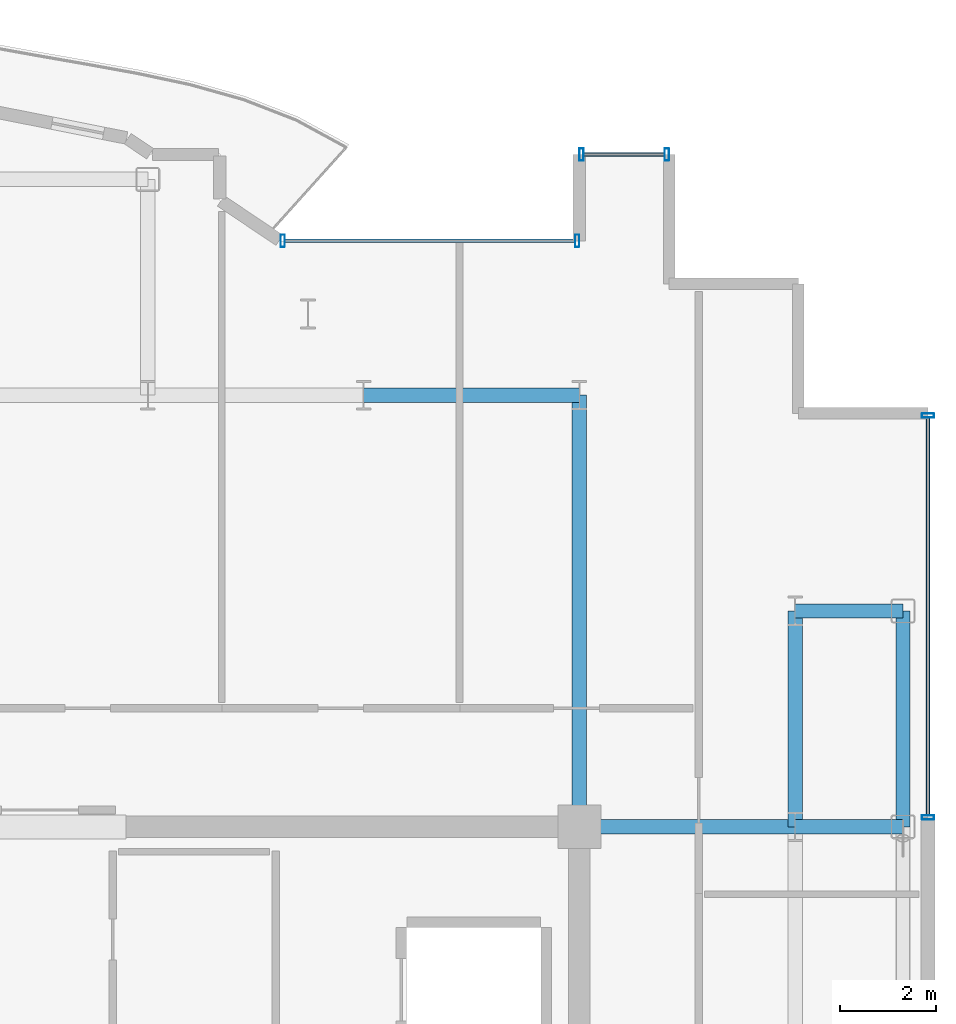
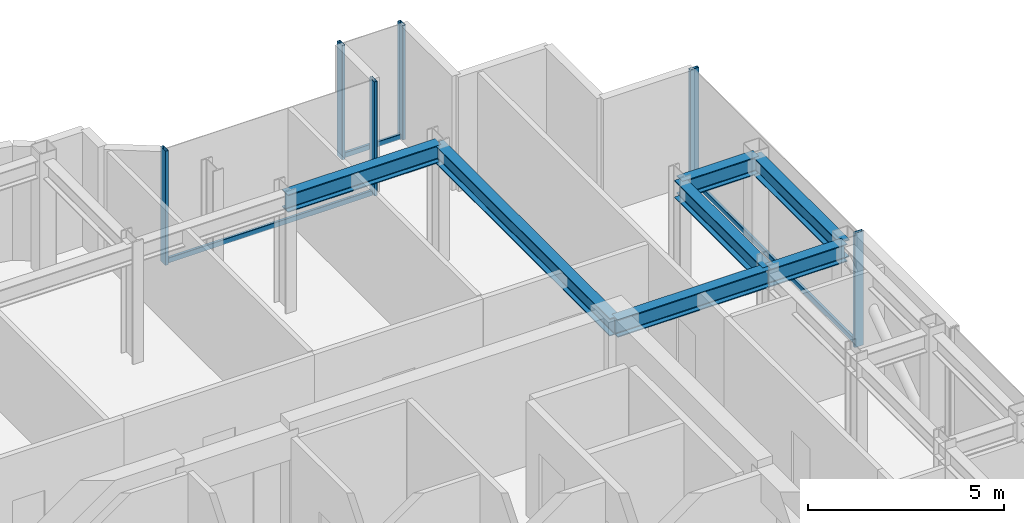
# One storey, part 9 of 16: 9 members, 7 beams, 3 elements without a shape of their own.
"""IFC4 building model written with IfcOpenShell, lengths in metres."""

import ifcopenshell
import ifcopenshell.guid

model = None  # the IFC model being written
_history = None  # IfcOwnerHistory: only IFC2X3 demands one
_inside = {}  # id of a spatial element -> (the spatial element, [elements in it])
_under = {}  # id of a project, library or spatial element -> (it, [spatial elements below it])
_declared = {}  # id of a project -> (the project, [libraries it declares])
_typed = {}  # id of a type object -> (the type object, [elements of that type])
_made_of = {}  # id of a material, layer set ... -> (it, [elements and type objects made of it])


def new_model(schema):
    """Start an empty IFC model of exactly this schema.

    Asked for "IFC4X3", IfcOpenShell would pick the latest addendum, in which some entities
    have other attributes; the version numbers below select the first issue.
    IFC2X3 requires an IfcOwnerHistory on every rooted entity: one is made here for all.
    """
    global model, _history
    if schema == "IFC4X3":
        model = ifcopenshell.file(schema_version=(4, 3, 0, 0))
    else:
        model = ifcopenshell.file(schema=schema)
    _inside.clear()
    _under.clear()
    _declared.clear()
    _typed.clear()
    _made_of.clear()
    _history = None
    if model.schema == "IFC2X3":
        org = make("IfcOrganization", Name="unknown")
        user = make(
            "IfcPersonAndOrganization",
            ThePerson=make("IfcPerson", FamilyName="unknown"),
            TheOrganization=org,
        )
        app = make(
            "IfcApplication",
            ApplicationDeveloper=org,
            Version="unknown",
            ApplicationFullName="unknown",
            ApplicationIdentifier="unknown",
        )
        _history = make(
            "IfcOwnerHistory",
            OwningUser=user,
            OwningApplication=app,
            ChangeAction="ADDED",
            CreationDate=0,
        )
    return model


def make(cls, **values):
    """One entity of the class cls with the attributes given. An attribute that is None is left unset."""
    return model.create_entity(
        cls, **{name: value for name, value in values.items() if value is not None}
    )


def rooted(cls, **values):
    """An entity with a GlobalId (a new one), such as an element, a storey or a relation."""
    return make(cls, GlobalId=ifcopenshell.guid.new(), OwnerHistory=_history, **values)


def si_unit(unit_type, name, prefix=None):
    """IfcSIUnit, for example si_unit("LENGTHUNIT", "METRE", prefix="MILLI")."""
    return make("IfcSIUnit", UnitType=unit_type, Prefix=prefix, Name=name)


def assignment(units):
    """IfcUnitAssignment: the units of a project."""
    return None if units is None else make("IfcUnitAssignment", Units=units)


def point(xyz):
    """IfcCartesianPoint."""
    return None if xyz is None else make("IfcCartesianPoint", Coordinates=xyz)


def direction(xyz):
    """IfcDirection."""
    return None if xyz is None else make("IfcDirection", DirectionRatios=xyz)


def frame(location, z_axis=None, x_axis=None):
    """IfcAxis2Placement3D, a coordinate frame: its origin and axes. An axis left out is left unset."""
    return make(
        "IfcAxis2Placement3D",
        Location=point(location),
        Axis=direction(z_axis),
        RefDirection=direction(x_axis),
    )


def frame_2d(location, x_axis=None):
    """IfcAxis2Placement2D, a coordinate frame in the plane: its origin and x axis."""
    return make(
        "IfcAxis2Placement2D", Location=point(location), RefDirection=direction(x_axis)
    )


def origin():
    """The frame at (0, 0, 0) with its axes left unset."""
    return frame((0.0, 0.0, 0.0))


def origin_2d():
    """The frame at (0, 0) in the plane with its x axis left unset."""
    return frame_2d((0.0, 0.0))


def place(relative_to, where):
    """IfcLocalPlacement: puts the frame where relative to a parent placement (None: the world)."""
    return make(
        "IfcLocalPlacement", PlacementRelTo=relative_to, RelativePlacement=where
    )


def context(
    kind, dimensions, precision=None, world=None, true_north=None, identifier=None
):
    """IfcGeometricRepresentationContext, for example the 3D "Model" context."""
    return make(
        "IfcGeometricRepresentationContext",
        ContextIdentifier=identifier,
        ContextType=kind,
        CoordinateSpaceDimension=dimensions,
        Precision=precision,
        WorldCoordinateSystem=world,
        TrueNorth=true_north,
    )


def subcontext(parent, identifier, kind, view, scale=None):
    """IfcGeometricRepresentationSubContext, for example "Body" below "Model"."""
    return make(
        "IfcGeometricRepresentationSubContext",
        ContextIdentifier=identifier,
        ContextType=kind,
        ParentContext=parent,
        TargetScale=scale,
        TargetView=view,
    )


def project(units=None, contexts=None):
    """IfcProject with its units and contexts."""
    return rooted(
        "IfcProject",
        Name="project",
        RepresentationContexts=contexts,
        UnitsInContext=assignment(units),
    )


def spatial(cls, under=None, at=None, **own):
    """A site, building, storey or space (cls), placed at a placement, below another one or the project."""
    s = rooted(cls, ObjectPlacement=at, **own)
    if under is not None:
        _under.setdefault(under.id(), (under, []))[1].append(s)
    return s


def profile(cls, at=None, kind="AREA", **sizes):
    """A parametric profile (cls). Its sizes go by their IFC names, for example OverallWidth=200.0."""
    return make(cls, ProfileType=kind, Position=at, **sizes)


def hollow_rectangle(**sizes):
    """IfcRectangleHollowProfileDef."""
    return profile("IfcRectangleHollowProfileDef", **sizes)


def i_section(**sizes):
    """IfcIShapeProfileDef."""
    return profile("IfcIShapeProfileDef", **sizes)


def extrude(swept, where, along, depth):
    """IfcExtrudedAreaSolid: the profile swept, set in the frame where, extruded along a direction by depth."""
    return make(
        "IfcExtrudedAreaSolid",
        SweptArea=swept,
        Position=where,
        ExtrudedDirection=direction(along),
        Depth=depth,
    )


def shape(context_of_items, identifier, shape_type, items):
    """IfcShapeRepresentation: the items that make up one representation, for example the "Body"."""
    return make(
        "IfcShapeRepresentation",
        ContextOfItems=context_of_items,
        RepresentationIdentifier=identifier,
        RepresentationType=shape_type,
        Items=items,
    )


def source(mapping_origin, context_of_items, identifier, shape_type, items):
    """IfcRepresentationMap: a shape defined once, which mapped items show again and again."""
    return make(
        "IfcRepresentationMap",
        MappingOrigin=mapping_origin,
        MappedRepresentation=shape(context_of_items, identifier, shape_type, items),
    )


def transform(
    local_origin,
    x_axis=None,
    y_axis=None,
    z_axis=None,
    scale=None,
    scale2=None,
    scale3=None,
    uniform=True,
):
    """IfcCartesianTransformationOperator3D, or its non-uniform kind. x_axis, y_axis, z_axis: its Axis1, 2, 3."""
    if uniform:
        return make(
            "IfcCartesianTransformationOperator3D",
            Axis1=direction(x_axis),
            Axis2=direction(y_axis),
            LocalOrigin=point(local_origin),
            Scale=scale,
            Axis3=direction(z_axis),
        )
    return make(
        "IfcCartesianTransformationOperator3DnonUniform",
        Axis1=direction(x_axis),
        Axis2=direction(y_axis),
        LocalOrigin=point(local_origin),
        Scale=scale,
        Axis3=direction(z_axis),
        Scale2=scale2,
        Scale3=scale3,
    )


def mapped(mapping_source, mapping_target):
    """IfcMappedItem: shows the shape of a source again, moved by a transform."""
    return make(
        "IfcMappedItem", MappingSource=mapping_source, MappingTarget=mapping_target
    )


def material(Name=None, Category=None):
    """IfcMaterial."""
    return make("IfcMaterial", Name=Name, Category=Category)


def layer(
    of_material, thickness, ventilated=None, Name=None, Category=None, Priority=None
):
    """IfcMaterialLayer: one layer of a wall or slab, of a material (None: an air gap)."""
    return make(
        "IfcMaterialLayer",
        Material=of_material,
        LayerThickness=thickness,
        IsVentilated=ventilated,
        Name=Name,
        Category=Category,
        Priority=Priority,
    )


def layer_set(layers, Name=None):
    """IfcMaterialLayerSet."""
    return make("IfcMaterialLayerSet", MaterialLayers=layers, LayerSetName=Name)


def material_profile(
    of_material, cross_section, Name=None, Category=None, Priority=None
):
    """IfcMaterialProfile: a cross section and its material."""
    return make(
        "IfcMaterialProfile",
        Name=Name,
        Material=of_material,
        Profile=cross_section,
        Priority=Priority,
        Category=Category,
    )


def profile_set(profiles, Name=None, composite=None):
    """IfcMaterialProfileSet."""
    return make(
        "IfcMaterialProfileSet",
        Name=Name,
        MaterialProfiles=profiles,
        CompositeProfile=composite,
    )


def made_of(thing, what):
    """Note that an element or type object is made of a material, layer set ...; save() writes the relation."""
    if what is not None:
        _made_of.setdefault(what.id(), (what, []))[1].append(thing)
    return thing


def type_object(cls, material=None, **own):
    """A type object (cls), such as IfcWallType, which elements share."""
    return made_of(rooted(cls, **own), material)


def element(
    cls,
    number,
    at=None,
    inside=None,
    cuts=None,
    type_object=None,
    material=None,
    context=None,
    identifier="Body",
    shape_type=None,
    held_by="IfcProductDefinitionShape",
    body=None,
    shapes=None,
    **own,
):
    """One element of the class cls, such as IfcWall. Its Tag is "e" and its number.

    at: its placement. inside: the storey or other place that contains it. cuts: it is an
    opening in that element (IfcRelVoidsElement). A single representation is given by context,
    identifier, shape_type and body (its items); several are given by shapes. held_by: the class
    of the entity that holds the representations. save() writes the other relations.
    """
    e = rooted(cls, Tag="e%d" % number, ObjectPlacement=at, **own)
    if body is not None:
        shapes = [shape(context, identifier, shape_type, body)]
    if shapes is not None:
        e.Representation = make(held_by, Representations=shapes)
    if inside is not None:
        _inside.setdefault(inside.id(), (inside, []))[1].append(e)
    if cuts is not None:
        rooted(
            "IfcRelVoidsElement", RelatingBuildingElement=cuts, RelatedOpeningElement=e
        )
    if type_object is not None:
        _typed.setdefault(type_object.id(), (type_object, []))[1].append(e)
    return made_of(e, material)


def aggregate(whole, parts):
    """IfcRelAggregates: a whole, such as a stair, and the parts it consists of."""
    return rooted("IfcRelAggregates", RelatingObject=whole, RelatedObjects=parts)


def save(model, path):
    """Write the relations noted so far, then the file.

    IfcRelAggregates (storeys below a building ...), IfcRelContainedInSpatialStructure (elements
    in a storey), IfcRelDefinesByType, IfcRelAssociatesMaterial and IfcRelDeclares: one each for
    every whole, place, type object, material and project.
    """
    for whole, parts in _under.values():
        aggregate(whole, parts)
    for where, things in _inside.values():
        rooted(
            "IfcRelContainedInSpatialStructure",
            RelatedElements=things,
            RelatingStructure=where,
        )
    for kind, things in _typed.values():
        rooted("IfcRelDefinesByType", RelatedObjects=things, RelatingType=kind)
    for what, things in _made_of.values():
        rooted("IfcRelAssociatesMaterial", RelatedObjects=things, RelatingMaterial=what)
    for by, libraries in _declared.values():
        rooted("IfcRelDeclares", RelatingContext=by, RelatedDefinitions=libraries)
    model.write(path)


model = new_model("IFC4")

# Units and contexts
model_context = context("Model", 3, precision=1e-05, world=origin(), true_north=direction((0.0, 1.0)))
body_context = subcontext(model_context, "Body", "Model", "MODEL_VIEW")
ifc_project = project(units=[si_unit("LENGTHUNIT", "METRE"), si_unit("AREAUNIT", "SQUARE_METRE"), si_unit("VOLUMEUNIT", "CUBIC_METRE"), si_unit("PLANEANGLEUNIT", "RADIAN"), si_unit("MASSUNIT", "GRAM", prefix="KILO")], contexts=[model_context])

# Site, building, storey
site_placement = place(None, origin())
site = spatial("IfcSite", under=ifc_project, at=site_placement, CompositionType="ELEMENT")
building_placement = place(site_placement, origin())
building = spatial("IfcBuilding", under=site, at=building_placement, Name="Nefas-Gora Pilgrimage Tower", CompositionType="ELEMENT")
storey_placement = place(building_placement, frame((0.0, 0.0, 310.199951171875)))
storey = spatial("IfcBuildingStorey", under=building, at=storey_placement, Name="L78", CompositionType="ELEMENT", Elevation=310.199951171875)

# Beams
ifc_material_1 = material(Name="Steel S355", Category="steel")
ifc_material_profile_1 = material_profile(ifc_material_1, i_section(OverallWidth=0.300048828125, OverallDepth=0.550048828125, WebThickness=0.014892578125, FlangeThickness=0.029052734375, FilletRadius=0.027099609375, at=origin_2d()), Name="HEB 550")
ifc_profile_set_1 = profile_set([ifc_material_profile_1], Name="Steel S355")
beam_type_1 = type_object("IfcBeamType", Name="BM-SPN-HEB400", PredefinedType="SPANDREL", material=ifc_profile_set_1)
shared_shape_1 = source(origin(), body_context, "Body", "SweptSolid", [
    extrude(i_section(OverallWidth=0.300048828125, OverallDepth=0.550048828125, WebThickness=0.014892578125, FlangeThickness=0.029052734375, FilletRadius=0.027099609375, at=origin_2d()), origin(), (0.0, 0.0, 1.0), 4.5),
])
beam_1_placement = place(storey_placement, frame((18.0, 9.0, 3.275146484375), z_axis=(0.0, 1.0, 0.0), x_axis=(-1.0, 0.0, 0.0)))
element("IfcBeam", 1, at=beam_1_placement, inside=storey, type_object=beam_type_1, Name="L78 SP-04 beam", PredefinedType="SPANDREL", context=body_context, shape_type="MappedRepresentation", body=[
    mapped(shared_shape_1, transform((0.0, 0.0, 0.0), x_axis=(1.0, 0.0, 0.0), y_axis=(0.0, 1.0, 0.0), z_axis=(0.0, 0.0, 1.0), scale=1.0)),
])
ifc_material_profile_2 = material_profile(ifc_material_1, i_section(OverallWidth=0.300048828125, OverallDepth=0.550048828125, WebThickness=0.014892578125, FlangeThickness=0.029052734375, FilletRadius=0.027099609375, at=origin_2d()), Name="HEB 550")
ifc_profile_set_2 = profile_set([ifc_material_profile_2], Name="Steel S355")
beam_type_2 = type_object("IfcBeamType", Name="BM-GIR-HEB550", PredefinedType="BEAM", material=ifc_profile_set_2)
shared_shape_2 = source(origin(), body_context, "Body", "SweptSolid", [
    extrude(i_section(OverallWidth=0.300048828125, OverallDepth=0.550048828125, WebThickness=0.014892578125, FlangeThickness=0.029052734375, FilletRadius=0.027099609375, at=origin_2d()), origin(), (0.0, 0.0, 1.0), 9.0),
])
beam_2_placement = place(storey_placement, frame((11.25, 9.0, 3.275146484375), z_axis=(0.0, 1.0, 0.0), x_axis=(-1.0, 0.0, 0.0)))
element("IfcBeam", 2, at=beam_2_placement, inside=storey, type_object=beam_type_2, Name="L78 G-05 beam", PredefinedType="BEAM", context=body_context, shape_type="MappedRepresentation", body=[
    mapped(shared_shape_2, transform((0.0, 0.0, 0.0), x_axis=(1.0, 0.0, 0.0), y_axis=(0.0, 1.0, 0.0), z_axis=(0.0, 0.0, 1.0), scale=1.0)),
])
shared_shape_3 = source(origin(), body_context, "Body", "SweptSolid", [
    extrude(i_section(OverallWidth=0.300048828125, OverallDepth=0.550048828125, WebThickness=0.014892578125, FlangeThickness=0.029052734375, FilletRadius=0.027099609375, at=origin_2d()), origin(), (0.0, 0.0, 1.0), 4.5),
])
for number, where, z_axis, x_axis, name in (
    (3, (6.75, 18.0, 3.275146484375), (1.0, 0.0, 0.0), (0.0, 1.0, 0.0), "L78 G-05 beam"),
    (4, (11.25, 9.0, 3.275146484375), (1.0, 0.0, 0.0), (0.0, 1.0, 0.0), "L78 G-05 beam"),
    (5, (15.75, 9.0, 3.275146484375), (0.0, 1.0, 0.0), (-1.0, 0.0, 0.0), "L78 G-05 beam"),
):
    element("IfcBeam", number, at=place(storey_placement, frame(where, z_axis=z_axis, x_axis=x_axis)), inside=storey, type_object=beam_type_2, Name=name, PredefinedType="BEAM", context=body_context, shape_type="MappedRepresentation", body=[
        mapped(shared_shape_3, transform((0.0, 0.0, 0.0), x_axis=(1.0, 0.0, 0.0), y_axis=(0.0, 1.0, 0.0), z_axis=(0.0, 0.0, 1.0), scale=1.0)),
    ])
shared_shape_4 = source(origin(), body_context, "Body", "SweptSolid", [
    extrude(i_section(OverallWidth=0.300048828125, OverallDepth=0.550048828125, WebThickness=0.014892578125, FlangeThickness=0.029052734375, FilletRadius=0.027099609375, at=origin_2d()), origin(), (0.0, 0.0, 1.0), 2.25),
])
for number, where, z_axis, x_axis, name in (
    (6, (15.75, 9.0, 3.275146484375), (1.0, 0.0, 0.0), (0.0, 1.0, 0.0), "L78 G-05 beam"),
    (7, (15.75, 13.5, 3.275146484375), (1.0, 0.0, 0.0), (0.0, 1.0, 0.0), "L78 G-05 beam"),
):
    element("IfcBeam", number, at=place(storey_placement, frame(where, z_axis=z_axis, x_axis=x_axis)), inside=storey, type_object=beam_type_2, Name=name, PredefinedType="BEAM", context=body_context, shape_type="MappedRepresentation", body=[
        mapped(shared_shape_4, transform((0.0, 0.0, 0.0), x_axis=(1.0, 0.0, 0.0), y_axis=(0.0, 1.0, 0.0), z_axis=(0.0, 0.0, 1.0), scale=1.0)),
    ])

# Curtain wall, members
ifc_material_2 = material(Name="Dark ceramic-fritted solar-control aluminium-glass curtain wall", Category="aluminium")
ifc_layer_1 = layer(ifc_material_2, 0.219970703125)
ifc_layer_set_1 = layer_set([ifc_layer_1], Name="Dark ceramic-fritted solar-control aluminium-glass curtain wall")
curtain_wall_type_1 = type_object("IfcCurtainWallType", Name="CW-SYS-5", PredefinedType="NOTDEFINED", material=ifc_layer_set_1)
curtain_wall_1_placement = place(storey_placement, origin())
curtain_wall_1 = element("IfcCurtainWall", 8, at=curtain_wall_1_placement, inside=storey, type_object=curtain_wall_type_1, Name="L78 Unitised Curtain Wall CW5", PredefinedType="NOTDEFINED")
ifc_material_3 = material(Name="Anodised architectural aluminium", Category="aluminium")
ifc_material_profile_3 = material_profile(ifc_material_3, hollow_rectangle(XDim=0.090087890625, YDim=0.260009765625, WallThickness=0.006103515625, InnerFilletRadius=0.006103515625, OuterFilletRadius=0.011962890625, at=origin_2d()), Name="ALU MULLION 90x260")
ifc_profile_set_3 = profile_set([ifc_material_profile_3], Name="Anodised architectural aluminium")
member_type_1 = type_object("IfcMemberType", Name="CWM-MUL-5", PredefinedType="MULLION", material=ifc_profile_set_3)
shared_shape_5 = source(origin(), body_context, "Body", "SweptSolid", [
    extrude(hollow_rectangle(XDim=0.090087890625, YDim=0.260009765625, WallThickness=0.006103515625, InnerFilletRadius=0.006103515625, OuterFilletRadius=0.011962890625, at=origin_2d()), origin(), (0.0, 0.0, 1.0), 3.550048828125),
])
member_1_placement = place(storey_placement, frame((11.205078125, 21.219970703125, 0.0), z_axis=(0.0, 0.0, 1.0), x_axis=(-1.0, 0.0, 0.0)))
member_1 = element("IfcMember", 9, at=member_1_placement, type_object=member_type_1, Name="CW5 Mullion 1", PredefinedType="MULLION", context=body_context, shape_type="MappedRepresentation", body=[
    mapped(shared_shape_5, transform((0.0, 0.0, 0.0), x_axis=(1.0, 0.0, 0.0), y_axis=(0.0, 1.0, 0.0), z_axis=(0.0, 0.0, 1.0), scale=1.0)),
])
member_2_placement = place(storey_placement, frame((5.06298828125, 21.219970703125, 0.0), z_axis=(0.0, 0.0, 1.0), x_axis=(-1.0, 0.0, 0.0)))
member_2 = element("IfcMember", 10, at=member_2_placement, type_object=member_type_1, Name="CW5 Mullion 2", PredefinedType="MULLION", context=body_context, shape_type="MappedRepresentation", body=[
    mapped(shared_shape_5, transform((0.0, 0.0, 0.0), x_axis=(1.0, 0.0, 0.0), y_axis=(0.0, 1.0, 0.0), z_axis=(0.0, 0.0, 1.0), scale=1.0)),
])
ifc_material_profile_4 = material_profile(ifc_material_3, hollow_rectangle(XDim=0.080078125, YDim=0.159912109375, WallThickness=0.00439453125, InnerFilletRadius=0.00439453125, OuterFilletRadius=0.009033203125, at=origin_2d()), Name="ALU TRANSOM 80x160")
ifc_profile_set_4 = profile_set([ifc_material_profile_4], Name="Anodised architectural aluminium")
member_type_2 = type_object("IfcMemberType", Name="CWM-TRN-5", PredefinedType="USERDEFINED", material=ifc_profile_set_4)
shared_shape_6 = source(origin(), body_context, "Body", "SweptSolid", [
    extrude(hollow_rectangle(XDim=0.080078125, YDim=0.159912109375, WallThickness=0.00439453125, InnerFilletRadius=0.00439453125, OuterFilletRadius=0.009033203125, at=origin_2d()), origin(), (0.0, 0.0, 1.0), 6.052001953125),
])
member_3_placement = place(storey_placement, frame((11.159912109375, 21.219970703125, 0.050048828125), z_axis=(-1.0, 0.0, 0.0), x_axis=(0.0, -1.0, 0.0)))
member_3 = element("IfcMember", 11, at=member_3_placement, type_object=member_type_2, Name="CW5 Spandrel Transom", ObjectType="TRANSOM", PredefinedType="USERDEFINED", context=body_context, shape_type="MappedRepresentation", body=[
    mapped(shared_shape_6, transform((0.0, 0.0, 0.0), x_axis=(1.0, 0.0, 0.0), y_axis=(0.0, 1.0, 0.0), z_axis=(0.0, 0.0, 1.0), scale=1.0)),
])
aggregate(curtain_wall_1, [member_1, member_2, member_3])

# Curtain wall, member
ifc_layer_2 = layer(ifc_material_2, 0.219970703125)
ifc_layer_set_2 = layer_set([ifc_layer_2], Name="Dark ceramic-fritted solar-control aluminium-glass curtain wall")
curtain_wall_type_2 = type_object("IfcCurtainWallType", Name="CW-SYS-4", PredefinedType="NOTDEFINED", material=ifc_layer_set_2)
curtain_wall_2_placement = place(storey_placement, origin())
curtain_wall_2 = element("IfcCurtainWall", 12, at=curtain_wall_2_placement, inside=storey, type_object=curtain_wall_type_2, Name="L78 Unitised Curtain Wall CW4", PredefinedType="NOTDEFINED")
ifc_material_profile_5 = material_profile(ifc_material_3, hollow_rectangle(XDim=0.080078125, YDim=0.159912109375, WallThickness=0.00439453125, InnerFilletRadius=0.00439453125, OuterFilletRadius=0.009033203125, at=origin_2d()), Name="ALU TRANSOM 80x160")
ifc_profile_set_5 = profile_set([ifc_material_profile_5], Name="Anodised architectural aluminium")
member_type_3 = type_object("IfcMemberType", Name="CWM-TRN-4", PredefinedType="USERDEFINED", material=ifc_profile_set_5)
shared_shape_7 = source(origin(), body_context, "Body", "SweptSolid", [
    extrude(hollow_rectangle(XDim=0.080078125, YDim=0.159912109375, WallThickness=0.00439453125, InnerFilletRadius=0.00439453125, OuterFilletRadius=0.009033203125, at=origin_2d()), origin(), (0.0, 0.0, 1.0), 8.2900390625),
])
member_4_placement = place(storey_placement, frame((18.52001953125, 9.239990234375, 0.050048828125), z_axis=(0.0, 1.0, 0.0), x_axis=(-1.0, 0.0, 0.0)))
member_4 = element("IfcMember", 13, at=member_4_placement, type_object=member_type_3, Name="CW4 Spandrel Transom", ObjectType="TRANSOM", PredefinedType="USERDEFINED", context=body_context, shape_type="MappedRepresentation", body=[
    mapped(shared_shape_7, transform((0.0, 0.0, 0.0), x_axis=(1.0, 0.0, 0.0), y_axis=(0.0, 1.0, 0.0), z_axis=(0.0, 0.0, 1.0), scale=1.0)),
])

curtain_wall_3_placement = place(storey_placement, origin())
curtain_wall_3 = element("IfcCurtainWall", 14, at=curtain_wall_3_placement, inside=storey, type_object=curtain_wall_type_2, Name="L78 Unitised Curtain Wall CW4", PredefinedType="NOTDEFINED")
shared_shape_8 = source(origin(), body_context, "Body", "SweptSolid", [
    extrude(hollow_rectangle(XDim=0.080078125, YDim=0.159912109375, WallThickness=0.00439453125, InnerFilletRadius=0.00439453125, OuterFilletRadius=0.009033203125, at=origin_2d()), origin(), (0.0, 0.0, 1.0), 1.68994140625),
])
member_5_placement = place(storey_placement, frame((13.030029296875, 23.02001953125, 0.050048828125), z_axis=(-1.0, 0.0, 0.0), x_axis=(0.0, -1.0, 0.0)))
member_5 = element("IfcMember", 15, at=member_5_placement, type_object=member_type_3, Name="CW4 Spandrel Transom", ObjectType="TRANSOM", PredefinedType="USERDEFINED", context=body_context, shape_type="MappedRepresentation", body=[
    mapped(shared_shape_8, transform((0.0, 0.0, 0.0), x_axis=(1.0, 0.0, 0.0), y_axis=(0.0, 1.0, 0.0), z_axis=(0.0, 0.0, 1.0), scale=1.0)),
])

# Member
ifc_material_profile_6 = material_profile(ifc_material_3, hollow_rectangle(XDim=0.090087890625, YDim=0.260009765625, WallThickness=0.006103515625, InnerFilletRadius=0.006103515625, OuterFilletRadius=0.011962890625, at=origin_2d()), Name="ALU MULLION 90x260")
ifc_profile_set_6 = profile_set([ifc_material_profile_6], Name="Anodised architectural aluminium")
member_type_4 = type_object("IfcMemberType", Name="CWM-MUL-4", PredefinedType="MULLION", material=ifc_profile_set_6)
shared_shape_9 = source(origin(), body_context, "Body", "SweptSolid", [
    extrude(hollow_rectangle(XDim=0.090087890625, YDim=0.260009765625, WallThickness=0.006103515625, InnerFilletRadius=0.006103515625, OuterFilletRadius=0.011962890625, at=origin_2d()), origin(), (0.0, 0.0, 1.0), 3.550048828125),
])
member_6_placement = place(storey_placement, frame((18.52001953125, 9.195068359375, 0.0), z_axis=(0.0, 0.0, 1.0), x_axis=(0.0, 1.0, 0.0)))
member_6 = element("IfcMember", 16, at=member_6_placement, type_object=member_type_4, Name="CW4 Mullion 1", PredefinedType="MULLION", context=body_context, shape_type="MappedRepresentation", body=[
    mapped(shared_shape_9, transform((0.0, 0.0, 0.0), x_axis=(1.0, 0.0, 0.0), y_axis=(0.0, 1.0, 0.0), z_axis=(0.0, 0.0, 1.0), scale=1.0)),
])

member_7_placement = place(storey_placement, frame((18.52001953125, 17.574951171875, 0.0), z_axis=(0.0, 0.0, 1.0), x_axis=(0.0, 1.0, 0.0)))
member_7 = element("IfcMember", 17, at=member_7_placement, type_object=member_type_4, Name="CW4 Mullion 2", PredefinedType="MULLION", context=body_context, shape_type="MappedRepresentation", body=[
    mapped(shared_shape_9, transform((0.0, 0.0, 0.0), x_axis=(1.0, 0.0, 0.0), y_axis=(0.0, 1.0, 0.0), z_axis=(0.0, 0.0, 1.0), scale=1.0)),
])

aggregate(curtain_wall_2, [member_6, member_7, member_4])

member_8_placement = place(storey_placement, frame((13.074951171875, 23.02001953125, 0.0), z_axis=(0.0, 0.0, 1.0), x_axis=(-1.0, 0.0, 0.0)))
member_8 = element("IfcMember", 18, at=member_8_placement, type_object=member_type_4, Name="CW4 Mullion 1", PredefinedType="MULLION", context=body_context, shape_type="MappedRepresentation", body=[
    mapped(shared_shape_9, transform((0.0, 0.0, 0.0), x_axis=(1.0, 0.0, 0.0), y_axis=(0.0, 1.0, 0.0), z_axis=(0.0, 0.0, 1.0), scale=1.0)),
])

member_9_placement = place(storey_placement, frame((11.294921875, 23.02001953125, 0.0), z_axis=(0.0, 0.0, 1.0), x_axis=(-1.0, 0.0, 0.0)))
member_9 = element("IfcMember", 19, at=member_9_placement, type_object=member_type_4, Name="CW4 Mullion 2", PredefinedType="MULLION", context=body_context, shape_type="MappedRepresentation", body=[
    mapped(shared_shape_9, transform((0.0, 0.0, 0.0), x_axis=(1.0, 0.0, 0.0), y_axis=(0.0, 1.0, 0.0), z_axis=(0.0, 0.0, 1.0), scale=1.0)),
])

aggregate(curtain_wall_3, [member_8, member_9, member_5])

save(model, "model.ifc")
